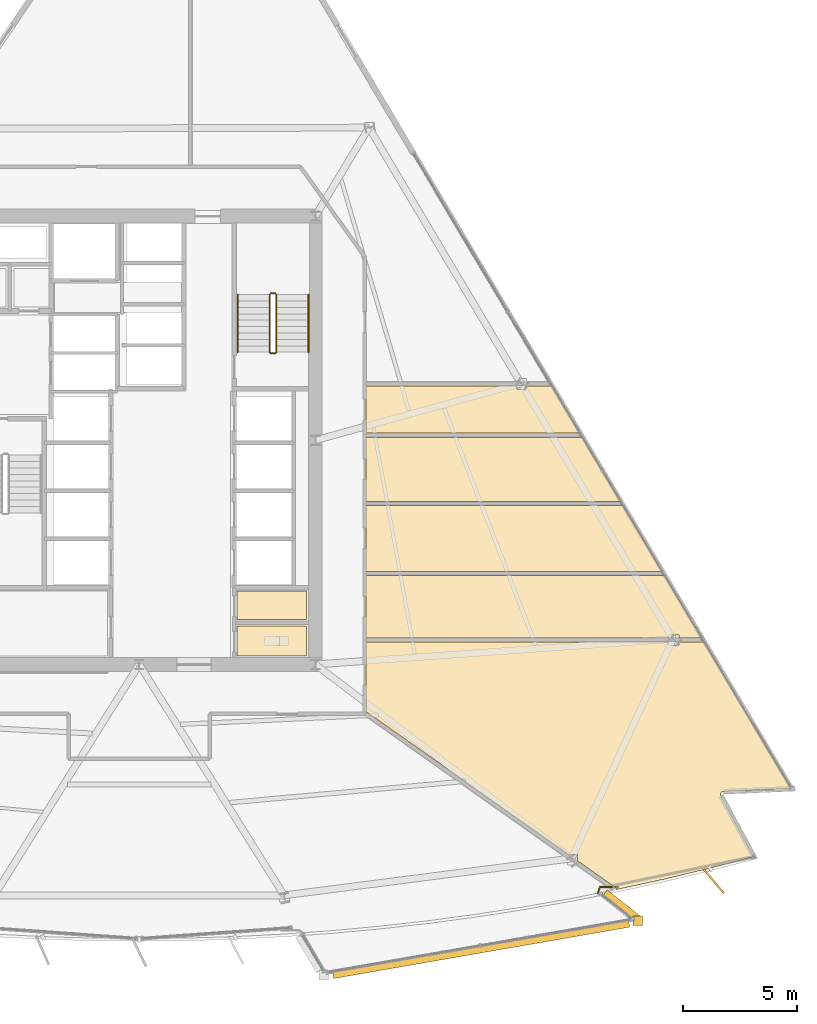
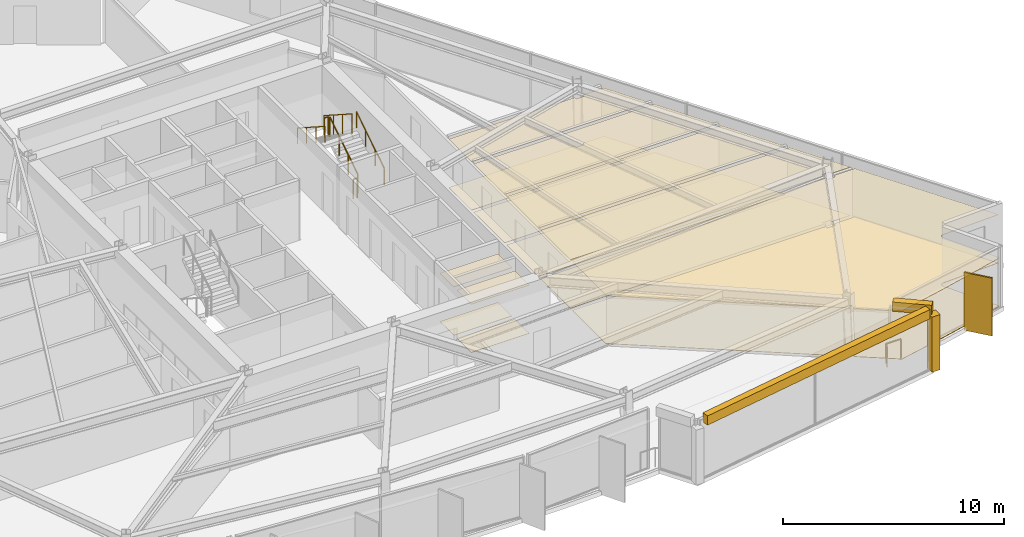
# One storey, part 13 of 15: 17 coverings, 7 railings, 1 shading device.
"""IFC4 building model written with IfcOpenShell, lengths in metres."""

from ifc_helpers import new_model, si_unit, direction, frame, origin, origin_2d, place, context, subcontext, project, spatial, polyline, rectangle, circle, outline, extrude, material, layer, layer_set, type_object, element, save


model = new_model("IFC4")

# Units and contexts
model_context = context("Model", 3, precision=1e-05, world=origin(), true_north=direction((0.0, 1.0)))
body_context = subcontext(model_context, "Body", "Model", "MODEL_VIEW")
ifc_project = project(units=[si_unit("LENGTHUNIT", "METRE"), si_unit("AREAUNIT", "SQUARE_METRE"), si_unit("VOLUMEUNIT", "CUBIC_METRE"), si_unit("PLANEANGLEUNIT", "RADIAN"), si_unit("MASSUNIT", "GRAM", prefix="KILO")], contexts=[model_context])

# Site, building, storey
site_placement = place(None, origin())
site = spatial("IfcSite", under=ifc_project, at=site_placement, CompositionType="ELEMENT")
building_placement = place(site_placement, origin())
building = spatial("IfcBuilding", under=site, at=building_placement, Name="Savorim Split Tower", CompositionType="ELEMENT")
storey_placement = place(building_placement, frame((0.0, 0.0, 96.89990234375)))
storey = spatial("IfcBuildingStorey", under=building, at=storey_placement, Name="L25", CompositionType="ELEMENT", Elevation=96.89990234375)

# Coverings
ifc_material_1 = material(Name="Mineral Fibre Acoustic Ceiling")
ifc_layer_1 = layer(ifc_material_1, 0.02490234375)
ifc_layer_set_1 = layer_set([ifc_layer_1], Name="COV-CEIL-25")
covering_type_1 = type_object("IfcCoveringType", Name="COV-CEIL-25", PredefinedType="CEILING", material=ifc_layer_set_1)
covering_1_placement = place(storey_placement, frame((0.0, 0.0, 2.670166015625)))
element("IfcCovering", 1, at=covering_1_placement, inside=storey, type_object=covering_type_1, Name="L25 Accessible WC Acoustic Ceiling", PredefinedType="CEILING", context=body_context, shape_type="SweptSolid", body=[
    extrude(outline(polyline([(4.280029296875, -7.719970703125), (4.280029296875, -9.02001953125), (7.320068359375, -9.02001953125), (7.320068359375, -7.719970703125), (4.280029296875, -7.719970703125)])), origin(), (0.0, 0.0, 1.0), 0.02490234375),
])
covering_2_placement = place(storey_placement, frame((0.0, 0.0, 2.670166015625)))
element("IfcCovering", 2, at=covering_2_placement, inside=storey, type_object=covering_type_1, Name="L25 Cleaning Store Acoustic Ceiling", PredefinedType="CEILING", context=body_context, shape_type="SweptSolid", body=[
    extrude(outline(polyline([(4.280029296875, -6.179931640625), (4.280029296875, -7.43994140625), (7.320068359375, -7.43994140625), (7.320068359375, -6.179931640625), (4.280029296875, -6.179931640625)])), origin(), (0.0, 0.0, 1.0), 0.02490234375),
])
covering_3_placement = place(storey_placement, frame((0.0, 0.0, 2.670166015625)))
element("IfcCovering", 3, at=covering_3_placement, inside=storey, type_object=covering_type_1, Name="L25 Co-Working Commons Acoustic Ceiling", PredefinedType="CEILING", context=body_context, shape_type="SweptSolid", body=[
    extrude(outline(polyline([(25.5009765625, -14.956298828125), (25.51220703125, -14.9541015625), (25.523681640625, -14.952880859375), (28.506591796875, -14.826171875), (24.67919921875, -8.3896484375), (24.67919921875, -8.422607421875), (23.595458984375, -8.422607421875), (23.595458984375, -8.55029296875), (23.16650390625, -8.55029296875), (23.16650390625, -8.422607421875), (9.919921875, -8.422607421875), (9.919921875, -11.458251953125), (18.785888671875, -17.71630859375), (19.15087890625, -17.71630859375), (19.15087890625, -17.973876953125), (20.7958984375, -19.135009765625), (20.87353515625, -19.18994140625), (20.83447265625, -19.245361328125), (20.873779296875, -19.237548828125), (22.927490234375, -18.789306640625), (24.9716796875, -18.29931640625), (26.85888671875, -17.8056640625), (25.423095703125, -15.129638671875), (25.418212890625, -15.119140625), (25.414306640625, -15.1083984375), (25.411376953125, -15.09716796875), (25.409423828125, -15.085693359375), (25.40869140625, -15.07421875), (25.4091796875, -15.062744140625), (25.410888671875, -15.05126953125), (25.413330078125, -15.0400390625), (25.4169921875, -15.029052734375), (25.421875, -15.0185546875), (25.427490234375, -15.008544921875), (25.43408203125, -14.9990234375), (25.441650390625, -14.990478515625), (25.449951171875, -14.982421875), (25.458984375, -14.97509765625), (25.46875, -14.968994140625), (25.47900390625, -14.963623046875), (25.48974609375, -14.95947265625), (25.5009765625, -14.956298828125)])), origin(), (0.0, 0.0, 1.0), 0.02490234375),
])
covering_4_placement = place(storey_placement, frame((0.0, 0.0, 2.670166015625)))
element("IfcCovering", 4, at=covering_4_placement, inside=storey, type_object=covering_type_1, Name="L25 Co-Working Commons Acoustic Ceiling", PredefinedType="CEILING", context=body_context, shape_type="SweptSolid", body=[
    extrude(outline(polyline([(23.595458984375, -8.105224609375), (23.595458984375, -8.232666015625), (24.584228515625, -8.232666015625), (24.5859375, -8.232666015625), (22.97021484375, -5.515380859375), (9.919921875, -5.515380859375), (9.919921875, -8.232666015625), (23.16650390625, -8.232666015625), (23.16650390625, -8.105224609375), (23.595458984375, -8.105224609375)])), origin(), (0.0, 0.0, 1.0), 0.02490234375),
])
covering_5_placement = place(storey_placement, frame((0.0, 0.0, 2.670166015625)))
element("IfcCovering", 5, at=covering_5_placement, inside=storey, type_object=covering_type_1, Name="L25 Co-Living Bedroom Acoustic Ceiling", PredefinedType="CEILING", context=body_context, shape_type="SweptSolid", body=[
    extrude(outline(polyline([(22.857177734375, -5.3251953125), (21.15185546875, -2.457275390625), (9.919921875, -2.457275390625), (9.919921875, -5.3251953125), (22.857177734375, -5.3251953125)])), origin(), (0.0, 0.0, 1.0), 0.02490234375),
])
covering_6_placement = place(storey_placement, frame((0.0, 0.0, 2.670166015625)))
element("IfcCovering", 6, at=covering_6_placement, inside=storey, type_object=covering_type_1, Name="L25 Co-Working Commons Acoustic Ceiling", PredefinedType="CEILING", context=body_context, shape_type="SweptSolid", body=[
    extrude(outline(polyline([(21.038818359375, -2.26708984375), (19.378173828125, 0.525634765625), (9.919921875, 0.525634765625), (9.919921875, -2.26708984375), (21.038818359375, -2.26708984375)])), origin(), (0.0, 0.0, 1.0), 0.02490234375),
])
covering_7_placement = place(storey_placement, frame((0.0, 0.0, 2.670166015625)))
element("IfcCovering", 7, at=covering_7_placement, inside=storey, type_object=covering_type_1, Name="L25 Co-Working Commons Acoustic Ceiling", PredefinedType="CEILING", context=body_context, shape_type="SweptSolid", body=[
    extrude(outline(polyline([(16.506591796875, 2.649658203125), (16.506591796875, 2.777099609375), (9.919921875, 2.777099609375), (9.919921875, 0.715576171875), (19.26513671875, 0.715576171875), (18.019775390625, 2.81005859375), (18.019775390625, 2.777099609375), (16.935791015625, 2.777099609375), (16.935791015625, 2.649658203125), (16.506591796875, 2.649658203125)])), origin(), (0.0, 0.0, 1.0), 0.02490234375),
])
ifc_material_2 = material(Name="Porcelain Stoneware Flooring", Category="masonry")
ifc_layer_2 = layer(ifc_material_2, 0.02001953125)
ifc_layer_set_2 = layer_set([ifc_layer_2], Name="COV-FLOR-20")
covering_type_2 = type_object("IfcCoveringType", Name="COV-FLOR-20", PredefinedType="FLOORING", material=ifc_layer_set_2)
covering_8_placement = place(storey_placement, origin())
element("IfcCovering", 8, at=covering_8_placement, inside=storey, type_object=covering_type_2, Name="L25 Accessible WC Porcelain Flooring", PredefinedType="FLOORING", context=body_context, shape_type="SweptSolid", body=[
    extrude(outline(polyline([(4.280029296875, -7.719970703125), (4.280029296875, -9.02001953125), (7.320068359375, -9.02001953125), (7.320068359375, -7.719970703125), (4.280029296875, -7.719970703125)])), origin(), (0.0, 0.0, 1.0), 0.02001953125),
])
covering_9_placement = place(storey_placement, origin())
element("IfcCovering", 9, at=covering_9_placement, inside=storey, type_object=covering_type_2, Name="L25 Cleaning Store Porcelain Flooring", PredefinedType="FLOORING", context=body_context, shape_type="SweptSolid", body=[
    extrude(outline(polyline([(4.280029296875, -6.179931640625), (4.280029296875, -7.43994140625), (7.320068359375, -7.43994140625), (7.320068359375, -6.179931640625), (4.280029296875, -6.179931640625)])), origin(), (0.0, 0.0, 1.0), 0.02001953125),
])
covering_10_placement = place(storey_placement, origin())
element("IfcCovering", 10, at=covering_10_placement, inside=storey, type_object=covering_type_2, Name="L25 Co-Working Commons Porcelain Flooring", PredefinedType="FLOORING", context=body_context, shape_type="SweptSolid", body=[
    extrude(outline(polyline([(25.5009765625, -14.956298828125), (25.51220703125, -14.9541015625), (25.523681640625, -14.952880859375), (28.506591796875, -14.826171875), (24.67919921875, -8.3896484375), (24.67919921875, -8.422607421875), (23.595458984375, -8.422607421875), (23.595458984375, -8.55029296875), (23.16650390625, -8.55029296875), (23.16650390625, -8.422607421875), (9.919921875, -8.422607421875), (9.919921875, -11.458251953125), (18.785888671875, -17.71630859375), (19.15087890625, -17.71630859375), (19.15087890625, -17.973876953125), (20.7958984375, -19.135009765625), (20.87353515625, -19.18994140625), (20.83447265625, -19.245361328125), (20.873779296875, -19.237548828125), (22.927490234375, -18.789306640625), (24.9716796875, -18.29931640625), (26.85888671875, -17.8056640625), (25.423095703125, -15.129638671875), (25.418212890625, -15.119140625), (25.414306640625, -15.1083984375), (25.411376953125, -15.09716796875), (25.409423828125, -15.085693359375), (25.40869140625, -15.07421875), (25.4091796875, -15.062744140625), (25.410888671875, -15.05126953125), (25.413330078125, -15.0400390625), (25.4169921875, -15.029052734375), (25.421875, -15.0185546875), (25.427490234375, -15.008544921875), (25.43408203125, -14.9990234375), (25.441650390625, -14.990478515625), (25.449951171875, -14.982421875), (25.458984375, -14.97509765625), (25.46875, -14.968994140625), (25.47900390625, -14.963623046875), (25.48974609375, -14.95947265625), (25.5009765625, -14.956298828125)])), origin(), (0.0, 0.0, 1.0), 0.02001953125),
])
covering_11_placement = place(storey_placement, origin())
element("IfcCovering", 11, at=covering_11_placement, inside=storey, type_object=covering_type_2, Name="L25 Co-Working Commons Porcelain Flooring", PredefinedType="FLOORING", context=body_context, shape_type="SweptSolid", body=[
    extrude(outline(polyline([(23.595458984375, -8.105224609375), (23.595458984375, -8.232666015625), (24.584228515625, -8.232666015625), (24.5859375, -8.232666015625), (22.97021484375, -5.515380859375), (9.919921875, -5.515380859375), (9.919921875, -8.232666015625), (23.16650390625, -8.232666015625), (23.16650390625, -8.105224609375), (23.595458984375, -8.105224609375)])), origin(), (0.0, 0.0, 1.0), 0.02001953125),
])
covering_12_placement = place(storey_placement, origin())
element("IfcCovering", 12, at=covering_12_placement, inside=storey, type_object=covering_type_2, Name="L25 Co-Living Bedroom Porcelain Flooring", PredefinedType="FLOORING", context=body_context, shape_type="SweptSolid", body=[
    extrude(outline(polyline([(22.857177734375, -5.3251953125), (21.15185546875, -2.457275390625), (9.919921875, -2.457275390625), (9.919921875, -5.3251953125), (22.857177734375, -5.3251953125)])), origin(), (0.0, 0.0, 1.0), 0.02001953125),
])
covering_13_placement = place(storey_placement, origin())
element("IfcCovering", 13, at=covering_13_placement, inside=storey, type_object=covering_type_2, Name="L25 Co-Working Commons Porcelain Flooring", PredefinedType="FLOORING", context=body_context, shape_type="SweptSolid", body=[
    extrude(outline(polyline([(21.038818359375, -2.26708984375), (19.378173828125, 0.525634765625), (9.919921875, 0.525634765625), (9.919921875, -2.26708984375), (21.038818359375, -2.26708984375)])), origin(), (0.0, 0.0, 1.0), 0.02001953125),
])
covering_14_placement = place(storey_placement, origin())
element("IfcCovering", 14, at=covering_14_placement, inside=storey, type_object=covering_type_2, Name="L25 Co-Working Commons Porcelain Flooring", PredefinedType="FLOORING", context=body_context, shape_type="SweptSolid", body=[
    extrude(outline(polyline([(16.506591796875, 2.649658203125), (16.506591796875, 2.777099609375), (9.919921875, 2.777099609375), (9.919921875, 0.715576171875), (19.26513671875, 0.715576171875), (18.019775390625, 2.81005859375), (18.019775390625, 2.777099609375), (16.935791015625, 2.777099609375), (16.935791015625, 2.649658203125), (16.506591796875, 2.649658203125)])), origin(), (0.0, 0.0, 1.0), 0.02001953125),
])
ifc_material_3 = material(Name="White Porcelain Architectural Cladding")
ifc_layer_3 = layer(ifc_material_3, 0.139892578125)
ifc_layer_set_3 = layer_set([ifc_layer_3], Name="COV-FRM-WHITE")
covering_type_3 = type_object("IfcCoveringType", Name="COV-FRM-WHITE", PredefinedType="CLADDING", material=ifc_layer_set_3)
covering_15_placement = place(storey_placement, frame((0.0, 0.0, 3.080078125)))
element("IfcCovering", 15, at=covering_15_placement, inside=storey, type_object=covering_type_3, Name="L25 Cantilevered Lounge White Upper Cornice Band F", PredefinedType="CLADDING", context=body_context, shape_type="SweptSolid", body=[
    extrude(outline(polyline([(8.500732421875, -23.130859375), (21.44482421875, -20.8818359375), (21.38671875, -20.546875), (8.4423828125, -22.7958984375), (8.500732421875, -23.130859375)])), origin(), (0.0, 0.0, 1.0), 0.510009765625),
])
covering_16_placement = place(storey_placement, frame((0.0, 0.0, 3.080078125)))
element("IfcCovering", 16, at=covering_16_placement, inside=storey, type_object=covering_type_3, Name="L25 Cantilevered Lounge White Upper Cornice Band E", PredefinedType="CLADDING", context=body_context, shape_type="SweptSolid", body=[
    extrude(outline(polyline([(21.875244140625, -20.37451171875), (20.4658203125, -19.255126953125), (20.25439453125, -19.521484375), (21.663818359375, -20.640869140625), (21.875244140625, -20.37451171875)])), origin(), (0.0, 0.0, 1.0), 0.510009765625),
])
covering_17_placement = place(storey_placement, frame((0.0, 0.0, 0.010009765625)))
element("IfcCovering", 17, at=covering_17_placement, inside=storey, type_object=covering_type_3, Name="L25 Cantilevered Lounge White Frame Corner Post 2", PredefinedType="CLADDING", context=body_context, shape_type="SweptSolid", body=[
    extrude(outline(polyline([(21.59130859375, -20.806396484375), (22.01123046875, -20.806396484375), (22.01123046875, -20.386474609375), (21.59130859375, -20.386474609375), (21.59130859375, -20.806396484375)])), origin(), (0.0, 0.0, 1.0), 3.050048828125),
])

# Railings
ifc_material_4 = material(Name="Galvanised Painted Steel Balustrade", Category="steel")
railing_type_1 = type_object("IfcRailingType", Name="RLG-BAL-1100", PredefinedType="BALUSTRADE", material=ifc_material_4)
railing_1_placement = place(storey_placement, frame((20.04150390625, -19.40625, 0.0)))
element("IfcRailing", 18, at=railing_1_placement, inside=storey, type_object=railing_type_1, Name="L25 Cantilevered Lounge East Edge Closure Guard", PredefinedType="BALUSTRADE", context=body_context, shape_type="SweptSolid", body=[
    extrude(circle(Radius=0.02392578125, at=origin_2d()), frame((0.0, 0.0, 1.076171875), z_axis=(0.336493515152, 0.941685783189, 0.0), x_axis=(-0.941685783189, 0.336493515152, 0.0)), (0.0, 0.0, 1.0), 0.29541015625),
    extrude(circle(Radius=0.02392578125, at=origin_2d()), frame((0.099365234375, 0.278076171875, 1.076171875), z_axis=(1.0, 0.0, 0.0), x_axis=(0.0, 1.0, 0.0)), (0.0, 0.0, 1.0), 0.780029296875),
    extrude(circle(Radius=0.02099609375, at=origin_2d()), origin(), (0.0, 0.0, 1.0), 1.052001953125),
    extrude(circle(Radius=0.02099609375, at=origin_2d()), frame((0.099365234375, 0.278076171875, 0.0)), (0.0, 0.0, 1.0), 1.052001953125),
    extrude(circle(Radius=0.02099609375, at=origin_2d()), frame((0.87939453125, 0.278076171875, 0.0)), (0.0, 0.0, 1.0), 1.052001953125),
])
railing_type_2 = type_object("IfcRailingType", Name="RLG-HR-900", PredefinedType="HANDRAIL", material=ifc_material_4)
railing_2_placement = place(storey_placement, frame((7.39990234375, 4.25, 0.18017578125)))
element("IfcRailing", 19, at=railing_2_placement, inside=storey, type_object=railing_type_2, Name="L25 ST-2 stair handrail 1", PredefinedType="HANDRAIL", context=body_context, shape_type="SweptSolid", body=[
    extrude(circle(Radius=0.02392578125, at=origin_2d()), frame((0.0, 0.0, 0.8759765625), z_axis=(0.0, 0.841199657755, 0.540724639528), x_axis=(-1.0, 0.0, 0.0)), (0.0, 0.0, 1.0), 2.995849609375),
    extrude(circle(Radius=0.02099609375, at=origin_2d()), origin(), (0.0, 0.0, 1.0), 0.851806640625),
    extrude(circle(Radius=0.02099609375, at=origin_2d()), frame((0.0, 0.840087890625, 0.5400390625)), (0.0, 0.0, 1.0), 0.851806640625),
    extrude(circle(Radius=0.02099609375, at=origin_2d()), frame((0.0, 1.679931640625, 1.079833984375)), (0.0, 0.0, 1.0), 0.851806640625),
    extrude(circle(Radius=0.02099609375, at=origin_2d()), frame((0.0, 2.52001953125, 1.619873046875)), (0.0, 0.0, 1.0), 0.851806640625),
])
railing_3_placement = place(storey_placement, frame((4.300048828125, 6.77001953125, 1.97998046875)))
element("IfcRailing", 20, at=railing_3_placement, inside=storey, type_object=railing_type_2, Name="L25 ST-2 stair handrail 2", PredefinedType="HANDRAIL", context=body_context, shape_type="SweptSolid", body=[
    extrude(circle(Radius=0.02392578125, at=origin_2d()), frame((0.0, 0.0, 0.8759765625), z_axis=(0.0, -0.841162588446, 0.540782303519), x_axis=(1.0, 0.0, 0.0)), (0.0, 0.0, 1.0), 2.995849609375),
    extrude(circle(Radius=0.02099609375, at=origin_2d()), origin(), (0.0, 0.0, 1.0), 0.851806640625),
    extrude(circle(Radius=0.02099609375, at=origin_2d()), frame((0.0, -0.840087890625, 0.5400390625)), (0.0, 0.0, 1.0), 0.851806640625),
    extrude(circle(Radius=0.02099609375, at=origin_2d()), frame((0.0, -1.679931640625, 1.080078125)), (0.0, 0.0, 1.0), 0.851806640625),
    extrude(circle(Radius=0.02099609375, at=origin_2d()), frame((0.0, -2.52001953125, 1.6201171875)), (0.0, 0.0, 1.0), 0.851806640625),
])
railing_type_3 = type_object("IfcRailingType", Name="RLG-STG-1100", PredefinedType="BALUSTRADE", material=ifc_material_4)
railing_4_placement = place(storey_placement, frame((6.0, 4.25, 0.18017578125)))
element("IfcRailing", 21, at=railing_4_placement, inside=storey, type_object=railing_type_3, Name="L25 ST-2 stair guard 1", PredefinedType="BALUSTRADE", context=body_context, shape_type="SweptSolid", body=[
    extrude(circle(Radius=0.02392578125, at=origin_2d()), frame((0.0, 0.0, 1.076171875), z_axis=(0.0, 0.841199657755, 0.540724639528), x_axis=(-1.0, 0.0, 0.0)), (0.0, 0.0, 1.0), 2.995849609375),
    extrude(circle(Radius=0.02099609375, at=origin_2d()), origin(), (0.0, 0.0, 1.0), 1.052001953125),
    extrude(circle(Radius=0.02099609375, at=origin_2d()), frame((0.0, 0.840087890625, 0.5400390625)), (0.0, 0.0, 1.0), 1.052001953125),
    extrude(circle(Radius=0.02099609375, at=origin_2d()), frame((0.0, 1.679931640625, 1.079833984375)), (0.0, 0.0, 1.0), 1.052001953125),
    extrude(circle(Radius=0.02099609375, at=origin_2d()), frame((0.0, 2.52001953125, 1.619873046875)), (0.0, 0.0, 1.0), 1.052001953125),
])
railing_5_placement = place(storey_placement, frame((5.949951171875, 6.820068359375, 1.800048828125)))
element("IfcRailing", 22, at=railing_5_placement, inside=storey, type_object=railing_type_3, Name="L25 ST-2 stair guard 2", PredefinedType="BALUSTRADE", context=body_context, shape_type="SweptSolid", body=[
    extrude(circle(Radius=0.02392578125, at=origin_2d()), frame((0.0, 0.0, 1.076171875), z_axis=(-1.0, 0.0, 0.0), x_axis=(0.0, -1.0, 0.0)), (0.0, 0.0, 1.0), 0.199951171875),
    extrude(circle(Radius=0.02099609375, at=origin_2d()), origin(), (0.0, 0.0, 1.0), 1.052001953125),
    extrude(circle(Radius=0.02099609375, at=origin_2d()), frame((-0.199951171875, 0.0, 0.0)), (0.0, 0.0, 1.0), 1.052001953125),
])
railing_6_placement = place(storey_placement, frame((5.699951171875, 6.77001953125, 1.97998046875)))
element("IfcRailing", 23, at=railing_6_placement, inside=storey, type_object=railing_type_3, Name="L25 ST-2 stair guard 3", PredefinedType="BALUSTRADE", context=body_context, shape_type="SweptSolid", body=[
    extrude(circle(Radius=0.02392578125, at=origin_2d()), frame((0.0, 0.0, 1.076171875), z_axis=(0.0, -0.841162588446, 0.540782303519), x_axis=(1.0, 0.0, 0.0)), (0.0, 0.0, 1.0), 2.995849609375),
    extrude(circle(Radius=0.02099609375, at=origin_2d()), origin(), (0.0, 0.0, 1.0), 1.052001953125),
    extrude(circle(Radius=0.02099609375, at=origin_2d()), frame((0.0, -0.840087890625, 0.5400390625)), (0.0, 0.0, 1.0), 1.052001953125),
    extrude(circle(Radius=0.02099609375, at=origin_2d()), frame((0.0, -1.679931640625, 1.080078125)), (0.0, 0.0, 1.0), 1.052001953125),
    extrude(circle(Radius=0.02099609375, at=origin_2d()), frame((0.0, -2.52001953125, 1.6201171875)), (0.0, 0.0, 1.0), 1.052001953125),
])
railing_7_placement = place(storey_placement, frame((5.949951171875, 4.199951171875, 0.0)))
element("IfcRailing", 24, at=railing_7_placement, inside=storey, type_object=railing_type_3, Name="L25 ST-2 stair guard 4", PredefinedType="BALUSTRADE", context=body_context, shape_type="SweptSolid", body=[
    extrude(circle(Radius=0.02392578125, at=origin_2d()), frame((0.0, 0.0, 1.076171875), z_axis=(-1.0, 0.0, 0.0), x_axis=(0.0, -1.0, 0.0)), (0.0, 0.0, 1.0), 0.199951171875),
    extrude(circle(Radius=0.02099609375, at=origin_2d()), origin(), (0.0, 0.0, 1.0), 1.052001953125),
    extrude(circle(Radius=0.02099609375, at=origin_2d()), frame((-0.199951171875, 0.0, 0.0)), (0.0, 0.0, 1.0), 1.052001953125),
])

# Shading device
ifc_material_5 = material(Name="Terracotta Ceramic-Coated Aluminium Fin", Category="masonry")
shading_device_type = type_object("IfcShadingDeviceType", Name="SHD-FIN-1360", PredefinedType="USERDEFINED", material=ifc_material_5)
shading_device_placement = place(storey_placement, frame((25.116455078125, -18.87744140625, -0.19970703125), z_axis=(0.0, 0.0, 1.0), x_axis=(0.643719022682, -0.765261928909, 0.0)))
element("IfcShadingDevice", 25, at=shading_device_placement, inside=storey, type_object=shading_device_type, Name="L25 Sawtooth Shading Fin 13", ObjectType="FIN", PredefinedType="USERDEFINED", context=body_context, shape_type="SweptSolid", body=[
    extrude(rectangle(XDim=1.360107421875, YDim=0.080078125, at=origin_2d()), origin(), (0.0, 0.0, 1.0), 3.199951171875),
])

save(model, "model.ifc")
